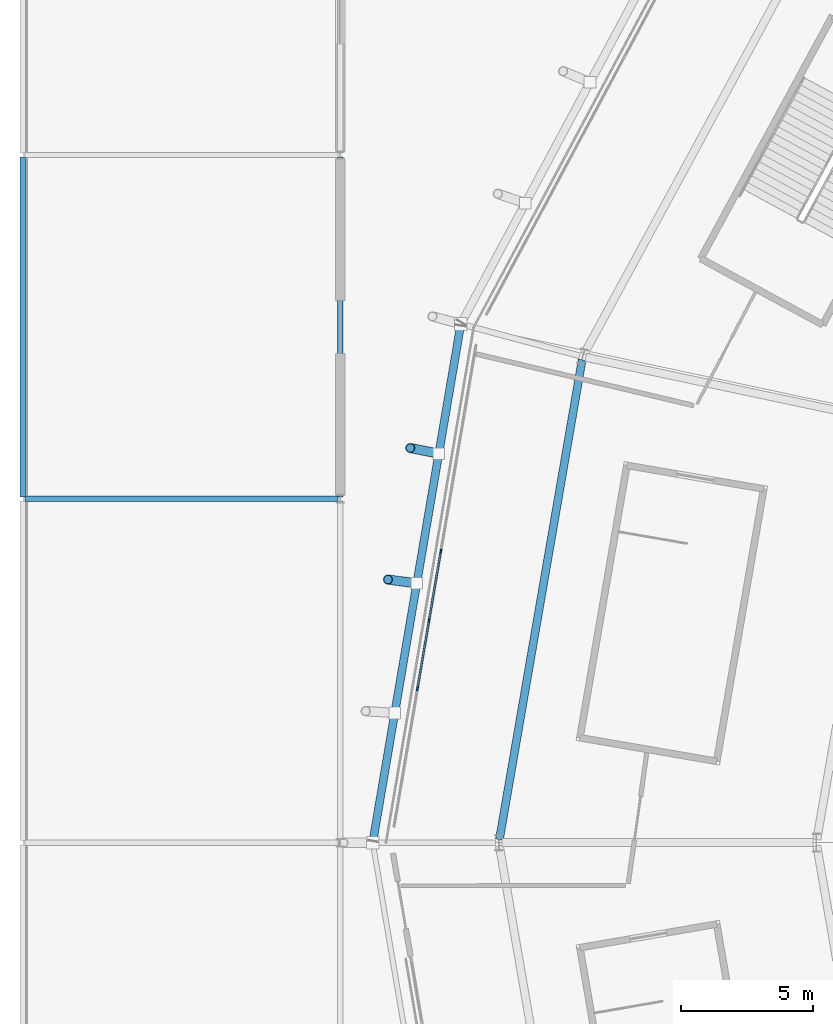
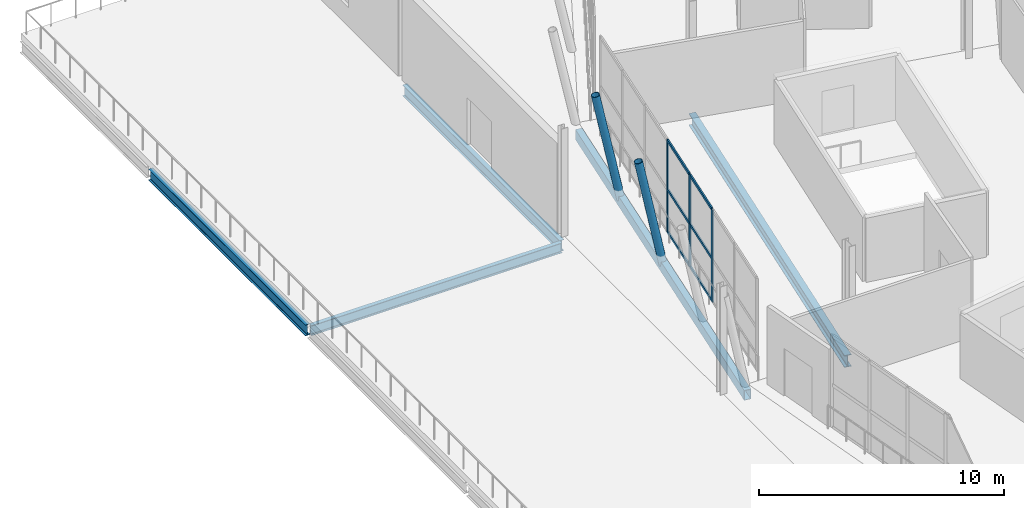
# One storey, part 27 of 126: 11 members, 5 beams, 1 element without a shape of its own.
"""IFC4 building model written with IfcOpenShell, lengths in metres."""

from ifc_helpers import new_model, si_unit, direction, frame, origin, origin_2d, place, context, subcontext, project, spatial, rectangle, hollow_rectangle, hollow_circle, i_section, extrude, material, material_profile, profile_set, type_object, element, aggregate, save


model = new_model("IFC4")

# Units and contexts
model_context = context("Model", 3, precision=1e-05, world=origin(), true_north=direction((0.0, 1.0)))
body_context = subcontext(model_context, "Body", "Model", "MODEL_VIEW")
ifc_project = project(units=[si_unit("LENGTHUNIT", "METRE"), si_unit("AREAUNIT", "SQUARE_METRE"), si_unit("VOLUMEUNIT", "CUBIC_METRE"), si_unit("PLANEANGLEUNIT", "RADIAN"), si_unit("MASSUNIT", "GRAM", prefix="KILO")], contexts=[model_context])

# Site, building, storey
site_placement = place(None, origin())
site = spatial("IfcSite", under=ifc_project, at=site_placement, CompositionType="ELEMENT")
building_placement = place(site_placement, origin())
building = spatial("IfcBuilding", under=site, at=building_placement, Name="Zlatoyarsky Gate Stadium", CompositionType="ELEMENT")
storey_placement = place(building_placement, frame((0.0, 0.0, 20.800048828125)))
storey = spatial("IfcBuildingStorey", under=building, at=storey_placement, Name="L04", CompositionType="ELEMENT", Elevation=20.800048828125)

# Curtain wall, members
ifc_material_1 = material(Name="Thermally broken anodised aluminium curtain wall", Category="aluminium")
curtain_wall_type = type_object("IfcCurtainWallType", Name="UNITISED MEDIA RING GLAZING L04", PredefinedType="USERDEFINED", material=ifc_material_1)
curtain_wall_placement = place(storey_placement, origin())
curtain_wall = element("IfcCurtainWall", 1, at=curtain_wall_placement, inside=storey, type_object=curtain_wall_type, Name="Curtain wall CW-L04-11", ObjectType="UNITISED GLAZING", PredefinedType="USERDEFINED")
ifc_material_2 = material(Name="Anodised aluminium 6063-T6", Category="aluminium")
ifc_material_profile_1 = material_profile(ifc_material_2, rectangle(XDim=0.06494140625, YDim=0.159912109375, at=origin_2d()), Name="ALU 65X160")
ifc_profile_set_1 = profile_set([ifc_material_profile_1], Name="Anodised aluminium 6063-T6")
member_type_1 = type_object("IfcMemberType", Name="ALUMINIUM MULLION 65X160", PredefinedType="MULLION", material=ifc_profile_set_1)
member_1_placement = place(storey_placement, frame((15.804931640625, 91.010986328125, 0.0), z_axis=(0.0, 0.0, 1.0), x_axis=(0.985817460475, -0.167821138782, 0.0)))
member_1 = element("IfcMember", 2, at=member_1_placement, type_object=member_type_1, Name="CW-UG4 mullion 4", PredefinedType="MULLION", context=body_context, shape_type="SweptSolid", body=[
    extrude(rectangle(XDim=0.06494140625, YDim=0.159912109375, at=origin_2d()), origin(), (0.0, 0.0, 1.0), 4.619873046875),
])
member_2_placement = place(storey_placement, frame((15.363525390625, 88.41845703125, 0.0), z_axis=(0.0, 0.0, 1.0), x_axis=(0.985817460475, -0.167821138782, 0.0)))
member_2 = element("IfcMember", 3, at=member_2_placement, type_object=member_type_1, Name="CW-UG4 mullion 5", PredefinedType="MULLION", context=body_context, shape_type="SweptSolid", body=[
    extrude(rectangle(XDim=0.06494140625, YDim=0.159912109375, at=origin_2d()), origin(), (0.0, 0.0, 1.0), 4.619873046875),
])
member_3_placement = place(storey_placement, frame((14.922119140625, 85.825927734375, 0.0), z_axis=(0.0, 0.0, 1.0), x_axis=(0.985817460475, -0.167821138782, 0.0)))
member_3 = element("IfcMember", 4, at=member_3_placement, type_object=member_type_1, Name="CW-UG4 mullion 6", PredefinedType="MULLION", context=body_context, shape_type="SweptSolid", body=[
    extrude(rectangle(XDim=0.06494140625, YDim=0.159912109375, at=origin_2d()), origin(), (0.0, 0.0, 1.0), 4.619873046875),
])
ifc_material_profile_2 = material_profile(ifc_material_2, rectangle(XDim=0.06494140625, YDim=0.139892578125, at=origin_2d()), Name="ALU 65X140")
ifc_profile_set_2 = profile_set([ifc_material_profile_2], Name="Anodised aluminium 6063-T6")
member_type_2 = type_object("IfcMemberType", Name="ALUMINIUM TRANSOM 65X140", PredefinedType="USERDEFINED", material=ifc_profile_set_2)
member_4_placement = place(storey_placement, frame((15.79931640625, 90.97900390625, 0.032470703125), z_axis=(-0.167809188873, -0.9858194947, 0.0), x_axis=(0.9858194947, -0.167809188873, 0.0)))
member_4 = element("IfcMember", 5, at=member_4_placement, type_object=member_type_2, Name="CW-UG4 transom 4.1", ObjectType="TRANSOM", PredefinedType="USERDEFINED", context=body_context, shape_type="SweptSolid", body=[
    extrude(rectangle(XDim=0.06494140625, YDim=0.139892578125, at=origin_2d()), origin(), (0.0, 0.0, 1.0), 2.56494140625),
])
member_5_placement = place(storey_placement, frame((15.79931640625, 90.97900390625, 2.14990234375), z_axis=(-0.167809188873, -0.9858194947, 0.0), x_axis=(0.9858194947, -0.167809188873, 0.0)))
member_5 = element("IfcMember", 6, at=member_5_placement, type_object=member_type_2, Name="CW-UG4 transom 4.2", ObjectType="TRANSOM", PredefinedType="USERDEFINED", context=body_context, shape_type="SweptSolid", body=[
    extrude(rectangle(XDim=0.06494140625, YDim=0.139892578125, at=origin_2d()), origin(), (0.0, 0.0, 1.0), 2.56494140625),
])
member_6_placement = place(storey_placement, frame((15.79931640625, 90.97900390625, 4.58740234375), z_axis=(-0.167809188873, -0.9858194947, 0.0), x_axis=(0.9858194947, -0.167809188873, 0.0)))
member_6 = element("IfcMember", 7, at=member_6_placement, type_object=member_type_2, Name="CW-UG4 transom 4.3", ObjectType="TRANSOM", PredefinedType="USERDEFINED", context=body_context, shape_type="SweptSolid", body=[
    extrude(rectangle(XDim=0.06494140625, YDim=0.139892578125, at=origin_2d()), origin(), (0.0, 0.0, 1.0), 2.56494140625),
])
member_7_placement = place(storey_placement, frame((15.358154296875, 88.386474609375, 0.032470703125), z_axis=(-0.167809188873, -0.9858194947, 0.0), x_axis=(0.9858194947, -0.167809188873, 0.0)))
member_7 = element("IfcMember", 8, at=member_7_placement, type_object=member_type_2, Name="CW-UG4 transom 5.1", ObjectType="TRANSOM", PredefinedType="USERDEFINED", context=body_context, shape_type="SweptSolid", body=[
    extrude(rectangle(XDim=0.06494140625, YDim=0.139892578125, at=origin_2d()), origin(), (0.0, 0.0, 1.0), 2.56494140625),
])
member_8_placement = place(storey_placement, frame((15.358154296875, 88.386474609375, 2.14990234375), z_axis=(-0.167809188873, -0.9858194947, 0.0), x_axis=(0.9858194947, -0.167809188873, 0.0)))
member_8 = element("IfcMember", 9, at=member_8_placement, type_object=member_type_2, Name="CW-UG4 transom 5.2", ObjectType="TRANSOM", PredefinedType="USERDEFINED", context=body_context, shape_type="SweptSolid", body=[
    extrude(rectangle(XDim=0.06494140625, YDim=0.139892578125, at=origin_2d()), origin(), (0.0, 0.0, 1.0), 2.56494140625),
])
member_9_placement = place(storey_placement, frame((15.358154296875, 88.386474609375, 4.58740234375), z_axis=(-0.167809188873, -0.9858194947, 0.0), x_axis=(0.9858194947, -0.167809188873, 0.0)))
member_9 = element("IfcMember", 10, at=member_9_placement, type_object=member_type_2, Name="CW-UG4 transom 5.3", ObjectType="TRANSOM", PredefinedType="USERDEFINED", context=body_context, shape_type="SweptSolid", body=[
    extrude(rectangle(XDim=0.06494140625, YDim=0.139892578125, at=origin_2d()), origin(), (0.0, 0.0, 1.0), 2.56494140625),
])
aggregate(curtain_wall, [member_1, member_2, member_3, member_4, member_5, member_6, member_7, member_8, member_9])

# Beams
ifc_material_3 = material(Name="Steel S355", Category="steel")
ifc_material_profile_3 = material_profile(ifc_material_3, i_section(OverallWidth=0.199951171875, OverallDepth=0.5, WebThickness=0.01025390625, FlangeThickness=0.01611328125, FilletRadius=0.02099609375, at=origin_2d()), Name="IPE 500")
ifc_profile_set_3 = profile_set([ifc_material_profile_3], Name="Steel S355")
beam_type_1 = type_object("IfcBeamType", Name="STEEL FLOOR BEAM IPE 500", PredefinedType="BEAM", material=ifc_profile_set_3)
beam_1_placement = place(storey_placement, frame((0.080078125, 93.0, -0.570068359375), z_axis=(1.0, 0.0, 0.0), x_axis=(0.0, 1.0, 0.0)))
element("IfcBeam", 11, at=beam_1_placement, inside=storey, type_object=beam_type_1, Name="Beam B-IPE500 BM-L04-WGX-1-J", PredefinedType="BEAM", context=body_context, shape_type="SweptSolid", body=[
    extrude(i_section(OverallWidth=0.199951171875, OverallDepth=0.5, WebThickness=0.01025390625, FlangeThickness=0.01611328125, FilletRadius=0.02099609375, at=origin_2d()), origin(), (0.0, 0.0, 1.0), 11.83984375),
])
ifc_material_profile_4 = material_profile(ifc_material_3, i_section(OverallWidth=0.2099609375, OverallDepth=0.550048828125, WebThickness=0.010986328125, FlangeThickness=0.01708984375, FilletRadius=0.02392578125, at=origin_2d()), Name="IPE 550")
ifc_profile_set_4 = profile_set([ifc_material_profile_4], Name="Steel S355")
beam_type_2 = type_object("IfcBeamType", Name="STEEL FLOOR BEAM IPE 550", PredefinedType="BEAM", material=ifc_profile_set_4)
for number, where, z_axis, x_axis, name in (
    (12, (0.0, 93.080078125, -0.594970703125), (0.0, 1.0, 0.0), (-1.0, 0.0, 0.0), "Beam B-IPE550 BM-L04-WGY-1-J"),
    (13, (12.0, 93.080078125, -0.594970703125), (0.0, 1.0, 0.0), (-1.0, 0.0, 0.0), "Beam B-IPE550 BM-L04-WGY-2-J"),
):
    element("IfcBeam", number, at=place(storey_placement, frame(where, z_axis=z_axis, x_axis=x_axis)), inside=storey, type_object=beam_type_2, Name=name, PredefinedType="BEAM", context=body_context, shape_type="SweptSolid", body=[
        extrude(i_section(OverallWidth=0.2099609375, OverallDepth=0.550048828125, WebThickness=0.010986328125, FlangeThickness=0.01708984375, FilletRadius=0.02392578125, at=origin_2d()), origin(), (0.0, 0.0, 1.0), 12.83984375),
    ])

# Members
ifc_material_profile_5 = material_profile(ifc_material_3, hollow_circle(Radius=0.177734375, WallThickness=0.02001953125, at=origin_2d()), Name="CHS 355.6X20")
ifc_profile_set_5 = profile_set([ifc_material_profile_5], Name="Steel S355")
member_type_3 = type_object("IfcMemberType", Name="STEEL LEANING RIB RING STRUT CHS 355.6X20", PredefinedType="STRUT", material=ifc_profile_set_5)
member_10_placement = place(storey_placement, frame((15.72900390625, 94.7080078125, -0.550048828125), z_axis=(-0.194640586838, 0.038752171074, 0.980108826199), x_axis=(-0.195263604885, -0.980750796384, 0.0)))
element("IfcMember", 14, at=member_10_placement, inside=storey, type_object=member_type_3, Name="Outward-leaning bowl louvre fin rib L04 11-1", PredefinedType="STRUT", context=body_context, shape_type="SweptSolid", body=[
    extrude(hollow_circle(Radius=0.177734375, WallThickness=0.02001953125, at=origin_2d()), origin(), (0.0, 0.0, 1.0), 5.55029296875),
])
member_11_placement = place(storey_placement, frame((14.89599609375, 89.805419921875, -0.550048828125), z_axis=(-0.196329902112, 0.025822463038, 0.98019782184), x_axis=(-0.130402793039, -0.991461099372, 0.0)))
element("IfcMember", 15, at=member_11_placement, inside=storey, type_object=member_type_3, Name="Outward-leaning bowl louvre fin rib L04 11-2", PredefinedType="STRUT", context=body_context, shape_type="SweptSolid", body=[
    extrude(hollow_circle(Radius=0.177734375, WallThickness=0.02001953125, at=origin_2d()), origin(), (0.0, 0.0, 1.0), 5.5498046875),
])

# Beams
ifc_material_profile_6 = material_profile(ifc_material_3, hollow_rectangle(XDim=0.300048828125, YDim=0.5, WallThickness=0.02001953125, at=origin_2d()), Name="RHS 500X300X20")
ifc_profile_set_6 = profile_set([ifc_material_profile_6], Name="Steel S355")
beam_type_3 = type_object("IfcBeamType", Name="STEEL LOUVRE CARRIER SPANDREL RHS 500X300X20", PredefinedType="SPANDREL", material=ifc_profile_set_6)
beam_2_placement = place(storey_placement, frame((16.55859375, 99.5908203125, -0.550048828125), z_axis=(-0.16749138305, -0.985873539864, 0.0), x_axis=(0.985873539864, -0.16749138305, 0.0)))
element("IfcBeam", 16, at=beam_2_placement, inside=storey, type_object=beam_type_3, Name="Beam SP-RHS500 BM-L04-SPD-11", PredefinedType="SPANDREL", context=body_context, shape_type="SweptSolid", body=[
    extrude(hollow_rectangle(XDim=0.300048828125, YDim=0.5, WallThickness=0.02001953125, at=origin_2d()), origin(), (0.0, 0.0, 1.0), 19.8515625),
])
ifc_material_profile_7 = material_profile(ifc_material_3, i_section(OverallWidth=0.300048828125, OverallDepth=0.60009765625, WebThickness=0.015380859375, FlangeThickness=0.030029296875, FilletRadius=0.027099609375, at=origin_2d()), Name="HEB 600")
ifc_profile_set_7 = profile_set([ifc_material_profile_7], Name="Steel S355")
beam_type_4 = type_object("IfcBeamType", Name="STEEL PRIMARY GIRDER HEB 600", PredefinedType="BEAM", material=ifc_profile_set_7)
beam_3_placement = place(storey_placement, frame((21.1484375, 98.2578125, -0.60009765625), z_axis=(-0.169930456666, -0.985456056807, 0.0), x_axis=(0.985456056807, -0.169930456666, 0.0)))
element("IfcBeam", 17, at=beam_3_placement, inside=storey, type_object=beam_type_4, Name="Beam G-HEB600 BM-L04-CRC-11", PredefinedType="BEAM", context=body_context, shape_type="SweptSolid", body=[
    extrude(i_section(OverallWidth=0.300048828125, OverallDepth=0.60009765625, WebThickness=0.015380859375, FlangeThickness=0.030029296875, FilletRadius=0.027099609375, at=origin_2d()), origin(), (0.0, 0.0, 1.0), 18.4072265625),
])

save(model, "model.ifc")
